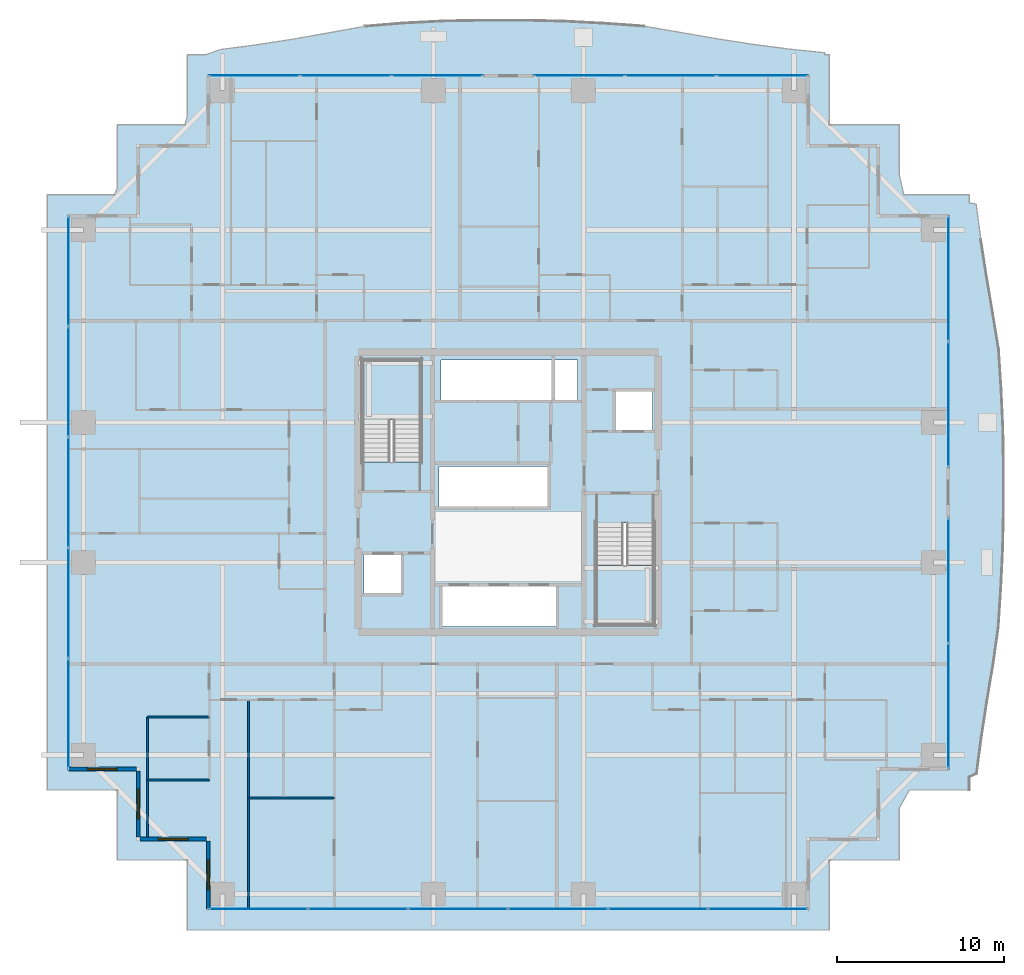
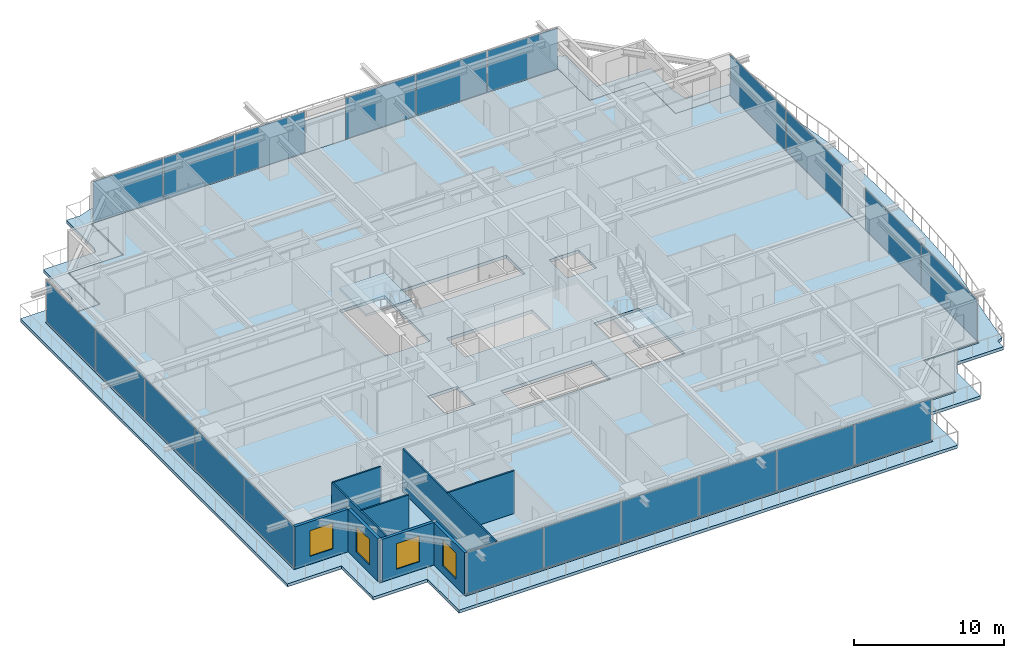
# One storey, part 26 of 38: 21 plates, 9 walls, 4 slabs, 4 windows, 4 openings, 8 elements without a shape of their own.
"""IFC4 building model written with IfcOpenShell, lengths in metres."""

from ifc_helpers import new_model, si_unit, direction, frame, frame_2d, origin, origin_2d, place, context, subcontext, project, spatial, polyline, rectangle, outline, extrude, source, transform, mapped, material, layer, layer_set, type_object, element, fill, aggregate, save


model = new_model("IFC4")

# Units and contexts
model_context = context("Model", 3, precision=1e-05, world=origin(), true_north=direction((0.0, 1.0)))
body_context = subcontext(model_context, "Body", "Model", "MODEL_VIEW")
ifc_project = project(units=[si_unit("LENGTHUNIT", "METRE"), si_unit("AREAUNIT", "SQUARE_METRE"), si_unit("VOLUMEUNIT", "CUBIC_METRE"), si_unit("PLANEANGLEUNIT", "RADIAN"), si_unit("MASSUNIT", "GRAM", prefix="KILO")], contexts=[model_context])

# Site, building, storey
site_placement = place(None, origin())
site = spatial("IfcSite", under=ifc_project, at=site_placement, CompositionType="ELEMENT")
building_placement = place(site_placement, origin())
building = spatial("IfcBuilding", under=site, at=building_placement, Name="Serunith Strait Residences", CompositionType="ELEMENT")
storey_placement = place(building_placement, frame((0.0, 0.0, 82.949951171875)))
storey = spatial("IfcBuildingStorey", under=building, at=storey_placement, Name="L20", CompositionType="ELEMENT", Elevation=82.949951171875)

# Slab
ifc_material_1 = material(Name="Concrete C50/60", Category="concrete")
ifc_layer_1 = layer(ifc_material_1, 0.239990234375, Name="Concrete C50/60")
ifc_layer_set_1 = layer_set([ifc_layer_1], Name="Concrete C50/60")
slab_type_1 = type_object("IfcSlabType", Name="SLB-BALC-240", PredefinedType="FLOOR", material=ifc_layer_set_1)
slab_1_placement = place(storey_placement, frame((0.0, 0.0, -0.2900390625)))
element("IfcSlab", 1, at=slab_1_placement, inside=storey, type_object=slab_type_1, Name="L20 Planted Vertical-Forest Balcony Slab", PredefinedType="FLOOR", context=body_context, shape_type="SweptSolid", body=[
    extrude(outline(polyline([(12.99658203125, 47.260009765625), (13.139892578125, 47.802490234375), (13.139892578125, 51.4599609375), (14.251708984375, 51.4599609375), (15.11181640625, 51.77001953125), (17.233154296875, 52.0439453125), (19.373291015625, 52.37646484375), (21.55126953125, 52.758056640625), (23.78759765625, 53.16259765625), (26.139892578125, 53.355712890625), (28.535400390625, 53.476806640625), (30.954833984375, 53.52001953125), (33.382080078125, 53.52001953125), (35.80078125, 53.462646484375), (38.1962890625, 53.337158203125), (40.5576171875, 53.169189453125), (42.808837890625, 52.78515625), (44.99609375, 52.405517578125), (47.14404296875, 52.072509765625), (49.271240234375, 51.796630859375), (51.39111328125, 51.57666015625), (51.390380859375, 51.4599609375), (51.659912109375, 51.4599609375), (51.659912109375, 47.260009765625), (55.860107421875, 47.260009765625), (55.860107421875, 44.250732421875), (56.134521484375, 43.06005859375), (60.06005859375, 43.06005859375), (60.06005859375, 42.563720703125), (60.473388671875, 42.497802734375), (60.75390625, 40.370361328125), (61.08544921875, 38.220703125), (61.455810546875, 36.03173828125), (61.822509765625, 33.781494140625), (61.9755859375, 31.427001953125), (62.084228515625, 29.041748046875), (62.1201171875, 26.63623046875), (62.1201171875, 24.223876953125), (62.070068359375, 21.819091796875), (61.955810546875, 19.434326171875), (61.802001953125, 17.0791015625), (61.47802734375, 14.809814453125), (61.110107421875, 12.612060546875), (60.779296875, 10.454833984375), (60.498291015625, 8.321533203125), (60.06005859375, 8.120361328125), (60.06005859375, 7.340087890625), (56.46728515625, 7.340087890625), (55.860107421875, 6.271484375), (55.860107421875, 3.139892578125), (51.659912109375, 3.139892578125), (51.659912109375, -1.06005859375), (13.139892578125, -1.06005859375), (13.139892578125, 3.139892578125), (8.93994140625, 3.139892578125), (8.93994140625, 7.340087890625), (4.739990234375, 7.340087890625), (4.739990234375, 43.06005859375), (8.7587890625, 43.06005859375), (8.93994140625, 43.457763671875), (8.93994140625, 47.260009765625), (12.99658203125, 47.260009765625)]), holes=[polyline([(50.455078125, 0.14501953125), (50.455078125, 4.344970703125), (54.655029296875, 4.344970703125), (54.655029296875, 8.544921875), (58.85498046875, 8.544921875), (58.85498046875, 41.85498046875), (54.655029296875, 41.85498046875), (54.655029296875, 46.054931640625), (50.455078125, 46.054931640625), (50.455078125, 50.2548828125), (14.344970703125, 50.2548828125), (14.344970703125, 46.054931640625), (10.14501953125, 46.054931640625), (10.14501953125, 41.85498046875), (5.945068359375, 41.85498046875), (5.945068359375, 8.544921875), (10.14501953125, 8.544921875), (10.14501953125, 4.344970703125), (14.344970703125, 4.344970703125), (14.344970703125, 0.14501953125), (50.455078125, 0.14501953125)])]), origin(), (0.0, 0.0, 1.0), 0.239990234375),
])

# Stair, slab
stair_type_1 = type_object("IfcStairType", Name="STR-CORE-1", PredefinedType="HALF_TURN_STAIR", material=ifc_material_1)
stair_1_placement = place(storey_placement, origin())
stair_1 = element("IfcStair", 2, at=stair_1_placement, inside=storey, type_object=stair_type_1, Name="L20 Protected Escape Stair ST-1", PredefinedType="HALF_TURN_STAIR")
ifc_layer_2 = layer(ifc_material_1, 0.199951171875, Name="Concrete C50/60")
ifc_layer_set_2 = layer_set([ifc_layer_2], Name="Concrete C50/60")
slab_type_2 = type_object("IfcSlabType", Name="SLB-LAND-200", PredefinedType="LANDING", material=ifc_layer_set_2)
slab_2_placement = place(storey_placement, frame((0.0, 0.0, 1.675048828125)))
slab_2 = element("IfcSlab", 3, at=slab_2_placement, type_object=slab_type_2, Name="ST-1 landing 1", PredefinedType="LANDING", context=body_context, shape_type="SweptSolid", body=[
    extrude(outline(polyline([(27.14990234375, 29.550048828125), (27.14990234375, 33.14990234375), (23.64990234375, 33.14990234375), (23.64990234375, 29.550048828125), (27.14990234375, 29.550048828125)])), origin(), (0.0, 0.0, 1.0), 0.199951171875),
])
aggregate(stair_1, [slab_2])

stair_type_2 = type_object("IfcStairType", Name="STR-CORE-2", PredefinedType="HALF_TURN_STAIR", material=ifc_material_1)
stair_2_placement = place(storey_placement, origin())
stair_2 = element("IfcStair", 4, at=stair_2_placement, inside=storey, type_object=stair_type_2, Name="L20 Protected Escape Stair ST-2", PredefinedType="HALF_TURN_STAIR")
slab_3_placement = place(storey_placement, frame((0.0, 0.0, 1.675048828125)))
slab_3 = element("IfcSlab", 5, at=slab_3_placement, type_object=slab_type_2, Name="ST-2 landing 1", PredefinedType="LANDING", context=body_context, shape_type="SweptSolid", body=[
    extrude(outline(polyline([(37.64990234375, 20.85009765625), (37.64990234375, 17.25), (41.14990234375, 17.25), (41.14990234375, 20.85009765625), (37.64990234375, 20.85009765625)])), origin(), (0.0, 0.0, 1.0), 0.199951171875),
])
aggregate(stair_2, [slab_3])

# Slab
ifc_material_2 = material(Name="Concrete C60/75", Category="concrete")
ifc_layer_3 = layer(ifc_material_2, 0.260009765625, Name="Concrete C60/75")
ifc_layer_set_3 = layer_set([ifc_layer_3], Name="Concrete C60/75")
slab_type_3 = type_object("IfcSlabType", Name="SLB-TWR-260-Z1", PredefinedType="FLOOR", material=ifc_layer_set_3)
slab_4_placement = place(storey_placement, frame((0.0, 0.0, -0.260009765625)))
element("IfcSlab", 6, at=slab_4_placement, inside=storey, type_object=slab_type_3, Name="L20 Structural Floor Plate", PredefinedType="FLOOR", context=body_context, shape_type="SweptSolid", body=[
    extrude(outline(polyline([(14.39990234375, 4.39990234375), (10.199951171875, 4.39990234375), (10.199951171875, 8.60009765625), (6.0, 8.60009765625), (6.0, 41.800048828125), (10.199951171875, 41.800048828125), (10.199951171875, 46.0), (14.39990234375, 46.0), (14.39990234375, 50.199951171875), (50.39990234375, 50.199951171875), (50.39990234375, 46.0), (54.60009765625, 46.0), (54.60009765625, 41.800048828125), (58.800048828125, 41.800048828125), (58.800048828125, 8.60009765625), (54.60009765625, 8.60009765625), (54.60009765625, 4.39990234375), (50.39990234375, 4.39990234375), (50.39990234375, 0.199951171875), (14.39990234375, 0.199951171875), (14.39990234375, 4.39990234375)]), holes=[polyline([(41.14990234375, 17.25), (41.14990234375, 23.3701171875), (37.64990234375, 23.3701171875), (37.64990234375, 17.25), (41.14990234375, 17.25)]), polyline([(41.050048828125, 31.25), (38.75, 31.25), (38.75, 28.85009765625), (41.050048828125, 28.85009765625), (41.050048828125, 31.25)]), polyline([(36.550048828125, 33.14990234375), (28.35009765625, 33.14990234375), (28.35009765625, 30.64990234375), (36.550048828125, 30.64990234375), (36.550048828125, 33.14990234375)]), polyline([(28.35009765625, 19.64990234375), (28.35009765625, 17.14990234375), (35.35009765625, 17.14990234375), (35.35009765625, 19.64990234375), (28.35009765625, 19.64990234375)]), polyline([(34.85009765625, 26.75), (28.25, 26.75), (28.25, 24.25), (34.85009765625, 24.25), (34.85009765625, 26.75)]), polyline([(23.64990234375, 33.14990234375), (23.64990234375, 27.030029296875), (27.14990234375, 27.030029296875), (27.14990234375, 33.14990234375), (23.64990234375, 33.14990234375)]), polyline([(26.050048828125, 21.550048828125), (23.75, 21.550048828125), (23.75, 19.14990234375), (26.050048828125, 19.14990234375), (26.050048828125, 21.550048828125)])]), origin(), (0.0, 0.0, 1.0), 0.260009765625),
])

# Curtain wall, plates
ifc_material_3 = material(Name="Pale-Champagne Anodised Aluminium", Category="aluminium")
ifc_layer_4 = layer(ifc_material_3, 0.199951171875, Name="Pale-Champagne Anodised Aluminium")
ifc_layer_set_4 = layer_set([ifc_layer_4], Name="Pale-Champagne Anodised Aluminium")
curtain_wall_type = type_object("IfcCurtainWallType", Name="CW-SYS1", PredefinedType="NOTDEFINED", material=ifc_layer_set_4)
curtain_wall_1_placement = place(storey_placement, origin())
curtain_wall_1 = element("IfcCurtainWall", 7, at=curtain_wall_1_placement, inside=storey, type_object=curtain_wall_type, Name="L20 S Unitised Fritted Curtain Wall", PredefinedType="NOTDEFINED")
ifc_material_4 = material(Name="Ceramic-Fritted Low-E Double Glazing 28mm", Category="glass")
ifc_layer_5 = layer(ifc_material_4, 0.028076171875, Name="Ceramic-Fritted Low-E Double Glazing 28mm")
ifc_layer_set_5 = layer_set([ifc_layer_5], Name="Ceramic-Fritted Low-E Double Glazing 28mm")
plate_type = type_object("IfcPlateType", Name="CW-SYS1-PNL", PredefinedType="CURTAIN_PANEL", material=ifc_layer_set_5)
shared_shape_1 = source(origin(), body_context, "Body", "SweptSolid", [
    extrude(rectangle(XDim=5.89501953125, YDim=0.028076171875, at=origin_2d()), origin(), (0.0, 0.0, 1.0), 3.35498046875),
])
plate_1_placement = place(storey_placement, frame((17.41748046875, 0.199951171875, 0.06005859375), z_axis=(0.0, 0.0, 1.0), x_axis=(1.0, 0.0, 0.0)))
plate_1 = element("IfcPlate", 8, at=plate_1_placement, type_object=plate_type, Name="CW-1 panel 1.1", PredefinedType="CURTAIN_PANEL", context=body_context, shape_type="MappedRepresentation", body=[
    mapped(shared_shape_1, transform((0.0, 0.0, 0.0), scale=1.0)),
])
plate_2_placement = place(storey_placement, frame((47.382568359375, 0.199951171875, 0.06005859375), z_axis=(0.0, 0.0, 1.0), x_axis=(1.0, 0.0, 0.0)))
plate_2 = element("IfcPlate", 9, at=plate_2_placement, type_object=plate_type, Name="CW-1 panel 6.1", PredefinedType="CURTAIN_PANEL", context=body_context, shape_type="MappedRepresentation", body=[
    mapped(shared_shape_1, transform((0.0, 0.0, 0.0), scale=1.0)),
])
shared_shape_2 = source(origin(), body_context, "Body", "SweptSolid", [
    extrude(rectangle(XDim=5.929931640625, YDim=0.028076171875, at=origin_2d()), origin(), (0.0, 0.0, 1.0), 3.35498046875),
])
plate_3_placement = place(storey_placement, frame((23.39990234375, 0.199951171875, 0.06005859375), z_axis=(0.0, 0.0, 1.0), x_axis=(1.0, 0.0, 0.0)))
plate_3 = element("IfcPlate", 10, at=plate_3_placement, type_object=plate_type, Name="CW-1 panel 2.1", PredefinedType="CURTAIN_PANEL", context=body_context, shape_type="MappedRepresentation", body=[
    mapped(shared_shape_2, transform((0.0, 0.0, 0.0), scale=1.0)),
])
plate_4_placement = place(storey_placement, frame((29.39990234375, 0.199951171875, 0.06005859375), z_axis=(0.0, 0.0, 1.0), x_axis=(1.0, 0.0, 0.0)))
plate_4 = element("IfcPlate", 11, at=plate_4_placement, type_object=plate_type, Name="CW-1 panel 3.1", PredefinedType="CURTAIN_PANEL", context=body_context, shape_type="MappedRepresentation", body=[
    mapped(shared_shape_2, transform((0.0, 0.0, 0.0), scale=1.0)),
])
plate_5_placement = place(storey_placement, frame((35.39990234375, 0.199951171875, 0.06005859375), z_axis=(0.0, 0.0, 1.0), x_axis=(1.0, 0.0, 0.0)))
plate_5 = element("IfcPlate", 12, at=plate_5_placement, type_object=plate_type, Name="CW-1 panel 4.1", PredefinedType="CURTAIN_PANEL", context=body_context, shape_type="MappedRepresentation", body=[
    mapped(shared_shape_2, transform((0.0, 0.0, 0.0), scale=1.0)),
])
plate_6_placement = place(storey_placement, frame((41.39990234375, 0.199951171875, 0.06005859375), z_axis=(0.0, 0.0, 1.0), x_axis=(1.0, 0.0, 0.0)))
plate_6 = element("IfcPlate", 13, at=plate_6_placement, type_object=plate_type, Name="CW-1 panel 5.1", PredefinedType="CURTAIN_PANEL", context=body_context, shape_type="MappedRepresentation", body=[
    mapped(shared_shape_2, transform((0.0, 0.0, 0.0), scale=1.0)),
])
aggregate(curtain_wall_1, [plate_1, plate_3, plate_4, plate_5, plate_6, plate_2])

curtain_wall_2_placement = place(storey_placement, origin())
curtain_wall_2 = element("IfcCurtainWall", 14, at=curtain_wall_2_placement, inside=storey, type_object=curtain_wall_type, Name="L20 E Unitised Fritted Curtain Wall", PredefinedType="NOTDEFINED")
shared_shape_3 = source(origin(), body_context, "Body", "SweptSolid", [
    extrude(rectangle(XDim=7.445068359375, YDim=0.028076171875, at=origin_2d()), origin(), (0.0, 0.0, 1.0), 3.35498046875),
])
plate_7_placement = place(storey_placement, frame((58.800048828125, 12.392578125, 0.06005859375), z_axis=(0.0, 0.0, 1.0), x_axis=(0.0, 1.0, 0.0)))
plate_7 = element("IfcPlate", 15, at=plate_7_placement, type_object=plate_type, Name="CW-1 panel 1.1", PredefinedType="CURTAIN_PANEL", context=body_context, shape_type="MappedRepresentation", body=[
    mapped(shared_shape_3, transform((0.0, 0.0, 0.0), scale=1.0)),
])
plate_8_placement = place(storey_placement, frame((58.800048828125, 19.907470703125, 0.06005859375), z_axis=(0.0, 0.0, 1.0), x_axis=(0.0, 1.0, 0.0)))
plate_8 = element("IfcPlate", 16, at=plate_8_placement, type_object=plate_type, Name="CW-1 panel 2.1", PredefinedType="CURTAIN_PANEL", context=body_context, shape_type="MappedRepresentation", body=[
    mapped(shared_shape_3, transform((0.0, 0.0, 0.0), scale=1.0)),
])
aggregate(curtain_wall_2, [plate_7, plate_8])

curtain_wall_3_placement = place(storey_placement, origin())
curtain_wall_3 = element("IfcCurtainWall", 17, at=curtain_wall_3_placement, inside=storey, type_object=curtain_wall_type, Name="L20 E Unitised Fritted Curtain Wall", PredefinedType="NOTDEFINED")
plate_9_placement = place(storey_placement, frame((58.800048828125, 30.492431640625, 0.06005859375), z_axis=(0.0, 0.0, 1.0), x_axis=(0.0, 1.0, 0.0)))
plate_9 = element("IfcPlate", 18, at=plate_9_placement, type_object=plate_type, Name="CW-1 panel 1.1", PredefinedType="CURTAIN_PANEL", context=body_context, shape_type="MappedRepresentation", body=[
    mapped(shared_shape_3, transform((0.0, 0.0, 0.0), scale=1.0)),
])
plate_10_placement = place(storey_placement, frame((58.800048828125, 38.007568359375, 0.06005859375), z_axis=(0.0, 0.0, 1.0), x_axis=(0.0, 1.0, 0.0)))
plate_10 = element("IfcPlate", 19, at=plate_10_placement, type_object=plate_type, Name="CW-1 panel 2.1", PredefinedType="CURTAIN_PANEL", context=body_context, shape_type="MappedRepresentation", body=[
    mapped(shared_shape_3, transform((0.0, 0.0, 0.0), scale=1.0)),
])
aggregate(curtain_wall_3, [plate_9, plate_10])

curtain_wall_4_placement = place(storey_placement, origin())
curtain_wall_4 = element("IfcCurtainWall", 20, at=curtain_wall_4_placement, inside=storey, type_object=curtain_wall_type, Name="L20 N Unitised Fritted Curtain Wall", PredefinedType="NOTDEFINED")
shared_shape_4 = source(origin(), body_context, "Body", "SweptSolid", [
    extrude(rectangle(XDim=5.39501953125, YDim=0.028076171875, at=origin_2d()), origin(), (0.0, 0.0, 1.0), 3.35498046875),
])
plate_11_placement = place(storey_placement, frame((47.632568359375, 50.199951171875, 0.06005859375), z_axis=(0.0, 0.0, 1.0), x_axis=(-1.0, 0.0, 0.0)))
plate_11 = element("IfcPlate", 21, at=plate_11_placement, type_object=plate_type, Name="CW-1 panel 1.1", PredefinedType="CURTAIN_PANEL", context=body_context, shape_type="MappedRepresentation", body=[
    mapped(shared_shape_4, transform((0.0, 0.0, 0.0), scale=1.0)),
])
plate_12_placement = place(storey_placement, frame((36.66748046875, 50.199951171875, 0.06005859375), z_axis=(0.0, 0.0, 1.0), x_axis=(-1.0, 0.0, 0.0)))
plate_12 = element("IfcPlate", 22, at=plate_12_placement, type_object=plate_type, Name="CW-1 panel 3.1", PredefinedType="CURTAIN_PANEL", context=body_context, shape_type="MappedRepresentation", body=[
    mapped(shared_shape_4, transform((0.0, 0.0, 0.0), scale=1.0)),
])

curtain_wall_5_placement = place(storey_placement, origin())
curtain_wall_5 = element("IfcCurtainWall", 23, at=curtain_wall_5_placement, inside=storey, type_object=curtain_wall_type, Name="L20 N Unitised Fritted Curtain Wall", PredefinedType="NOTDEFINED")
plate_13_placement = place(storey_placement, frame((28.132568359375, 50.199951171875, 0.06005859375), z_axis=(0.0, 0.0, 1.0), x_axis=(-1.0, 0.0, 0.0)))
plate_13 = element("IfcPlate", 24, at=plate_13_placement, type_object=plate_type, Name="CW-1 panel 1.1", PredefinedType="CURTAIN_PANEL", context=body_context, shape_type="MappedRepresentation", body=[
    mapped(shared_shape_4, transform((0.0, 0.0, 0.0), scale=1.0)),
])
plate_14_placement = place(storey_placement, frame((17.16748046875, 50.199951171875, 0.06005859375), z_axis=(0.0, 0.0, 1.0), x_axis=(-1.0, 0.0, 0.0)))
plate_14 = element("IfcPlate", 25, at=plate_14_placement, type_object=plate_type, Name="CW-1 panel 3.1", PredefinedType="CURTAIN_PANEL", context=body_context, shape_type="MappedRepresentation", body=[
    mapped(shared_shape_4, transform((0.0, 0.0, 0.0), scale=1.0)),
])

# Plate
shared_shape_5 = source(origin(), body_context, "Body", "SweptSolid", [
    extrude(rectangle(XDim=5.429931640625, YDim=0.028076171875, at=origin_2d()), origin(), (0.0, 0.0, 1.0), 3.35498046875),
])
plate_15_placement = place(storey_placement, frame((42.14990234375, 50.199951171875, 0.06005859375), z_axis=(0.0, 0.0, 1.0), x_axis=(-1.0, 0.0, 0.0)))
plate_15 = element("IfcPlate", 26, at=plate_15_placement, type_object=plate_type, Name="CW-1 panel 2.1", PredefinedType="CURTAIN_PANEL", context=body_context, shape_type="MappedRepresentation", body=[
    mapped(shared_shape_5, transform((0.0, 0.0, 0.0), scale=1.0)),
])

aggregate(curtain_wall_4, [plate_11, plate_15, plate_12])

plate_16_placement = place(storey_placement, frame((22.64990234375, 50.199951171875, 0.06005859375), z_axis=(0.0, 0.0, 1.0), x_axis=(-1.0, 0.0, 0.0)))
plate_16 = element("IfcPlate", 27, at=plate_16_placement, type_object=plate_type, Name="CW-1 panel 2.1", PredefinedType="CURTAIN_PANEL", context=body_context, shape_type="MappedRepresentation", body=[
    mapped(shared_shape_5, transform((0.0, 0.0, 0.0), scale=1.0)),
])

aggregate(curtain_wall_5, [plate_13, plate_16, plate_14])

# Curtain wall, plates
curtain_wall_6_placement = place(storey_placement, origin())
curtain_wall_6 = element("IfcCurtainWall", 28, at=curtain_wall_6_placement, inside=storey, type_object=curtain_wall_type, Name="L20 W Unitised Fritted Curtain Wall", PredefinedType="NOTDEFINED")
shared_shape_6 = source(origin(), body_context, "Body", "SweptSolid", [
    extrude(rectangle(XDim=6.534912109375, YDim=0.028076171875, at=origin_2d()), origin(), (0.0, 0.0, 1.0), 3.35498046875),
])
plate_17_placement = place(storey_placement, frame((6.0, 38.46240234375, 0.06005859375), z_axis=(0.0, 0.0, 1.0), x_axis=(0.0, -1.0, 0.0)))
plate_17 = element("IfcPlate", 29, at=plate_17_placement, type_object=plate_type, Name="CW-1 panel 1.1", PredefinedType="CURTAIN_PANEL", context=body_context, shape_type="MappedRepresentation", body=[
    mapped(shared_shape_6, transform((0.0, 0.0, 0.0), scale=1.0)),
])
plate_18_placement = place(storey_placement, frame((6.0, 11.9375, 0.06005859375), z_axis=(0.0, 0.0, 1.0), x_axis=(0.0, -1.0, 0.0)))
plate_18 = element("IfcPlate", 30, at=plate_18_placement, type_object=plate_type, Name="CW-1 panel 5.1", PredefinedType="CURTAIN_PANEL", context=body_context, shape_type="MappedRepresentation", body=[
    mapped(shared_shape_6, transform((0.0, 0.0, 0.0), scale=1.0)),
])
shared_shape_7 = source(origin(), body_context, "Body", "SweptSolid", [
    extrude(rectangle(XDim=6.570068359375, YDim=0.028076171875, at=origin_2d()), origin(), (0.0, 0.0, 1.0), 3.35498046875),
])
plate_19_placement = place(storey_placement, frame((6.0, 31.840087890625, 0.06005859375), z_axis=(0.0, 0.0, 1.0), x_axis=(0.0, -1.0, 0.0)))
plate_19 = element("IfcPlate", 31, at=plate_19_placement, type_object=plate_type, Name="CW-1 panel 2.1", PredefinedType="CURTAIN_PANEL", context=body_context, shape_type="MappedRepresentation", body=[
    mapped(shared_shape_7, transform((0.0, 0.0, 0.0), scale=1.0)),
])
plate_20_placement = place(storey_placement, frame((6.0, 25.199951171875, 0.06005859375), z_axis=(0.0, 0.0, 1.0), x_axis=(0.0, -1.0, 0.0)))
plate_20 = element("IfcPlate", 32, at=plate_20_placement, type_object=plate_type, Name="CW-1 panel 3.1", PredefinedType="CURTAIN_PANEL", context=body_context, shape_type="MappedRepresentation", body=[
    mapped(shared_shape_7, transform((0.0, 0.0, 0.0), scale=1.0)),
])
plate_21_placement = place(storey_placement, frame((6.0, 18.56005859375, 0.06005859375), z_axis=(0.0, 0.0, 1.0), x_axis=(0.0, -1.0, 0.0)))
plate_21 = element("IfcPlate", 33, at=plate_21_placement, type_object=plate_type, Name="CW-1 panel 4.1", PredefinedType="CURTAIN_PANEL", context=body_context, shape_type="MappedRepresentation", body=[
    mapped(shared_shape_7, transform((0.0, 0.0, 0.0), scale=1.0)),
])
aggregate(curtain_wall_6, [plate_17, plate_19, plate_20, plate_21, plate_18])

# Wall, opening, window
ifc_material_5 = material(Name="Pale-Champagne Aluminium Insulated Panel", Category="aluminium")
ifc_layer_6 = layer(ifc_material_5, 0.219970703125, Name="Pale-Champagne Aluminium Insulated Panel")
ifc_layer_set_6 = layer_set([ifc_layer_6], Name="Pale-Champagne Aluminium Insulated Panel")
wall_type_1 = type_object("IfcWallType", Name="EW-ALUM-220", PredefinedType="ELEMENTEDWALL", material=ifc_layer_set_6)
wall_1_placement = place(storey_placement, frame((6.0, 8.60009765625, 0.0), z_axis=(0.0, 0.0, 1.0), x_axis=(1.0, 0.0, 0.0)))
wall_1 = element("IfcWall", 34, at=wall_1_placement, inside=storey, type_object=wall_type_1, Name="L20 Girih Serrated Corner Wall 17", PredefinedType="ELEMENTEDWALL", context=body_context, shape_type="SweptSolid", body=[
    extrude(rectangle(XDim=4.090087890625, YDim=0.219970703125, at=frame_2d((2.044921875, 0.0))), origin(), (0.0, 0.0, 1.0), 3.47509765625),
])
opening_1_placement = place(wall_1_placement, frame((1.14501953125, 0.0, 0.64990234375)))
opening_1 = element("IfcOpeningElement", 35, at=opening_1_placement, cuts=wall_1, Name="Opening W-01", PredefinedType="OPENING", context=body_context, shape_type="SweptSolid", body=[
    extrude(rectangle(XDim=1.800048828125, YDim=2.10009765625, at=frame_2d((0.89990234375, 1.050048828125))), frame((0.0, 0.1201171875, 0.0), z_axis=(0.0, -1.0, 0.0), x_axis=(1.0, 0.0, 0.0)), (0.0, 0.0, 1.0), 0.239990234375),
])
ifc_material_6 = material(Name="Ceramic-Fritted Operable Aluminium Window Glass", Category="aluminium")
window_type = type_object("IfcWindowType", Name="WIN-C1", PartitioningType="DOUBLE_PANEL_VERTICAL", PredefinedType="WINDOW", material=ifc_material_6)
shared_shape_8 = source(origin(), body_context, "Body", "SweptSolid", [
    extrude(rectangle(XDim=1.800048828125, YDim=2.10009765625, at=frame_2d((0.89990234375, 1.050048828125))), frame((0.0, 0.030029296875, 0.0), z_axis=(0.0, -1.0, 0.0), x_axis=(1.0, 0.0, 0.0)), (0.0, 0.0, 1.0), 0.06005859375),
])
window_1_placement = place(opening_1_placement, origin())
window_1 = element("IfcWindow", 36, at=window_1_placement, inside=storey, type_object=window_type, Name="L20 Corner Operable Fritted Window 17", OverallHeight=2.10009765625, OverallWidth=1.800048828125, PartitioningType="SINGLE_PANEL", PredefinedType="WINDOW", context=body_context, shape_type="MappedRepresentation", body=[
    mapped(shared_shape_8, transform((0.0, 0.0, 0.0), scale=1.0)),
])
fill(opening_1, window_1)

wall_2_placement = place(storey_placement, frame((10.199951171875, 8.489990234375, 0.0), z_axis=(0.0, 0.0, 1.0), x_axis=(0.0, -1.0, 0.0)))
wall_2 = element("IfcWall", 37, at=wall_2_placement, inside=storey, type_object=wall_type_1, Name="L20 Girih Serrated Corner Wall 18", PredefinedType="ELEMENTEDWALL", context=body_context, shape_type="SweptSolid", body=[
    extrude(rectangle(XDim=3.97998046875, YDim=0.219970703125, at=frame_2d((1.989990234375, 0.0))), origin(), (0.0, 0.0, 1.0), 3.47509765625),
])
opening_2_placement = place(wall_2_placement, frame((1.090087890625, 0.0, 0.64990234375)))
opening_2 = element("IfcOpeningElement", 38, at=opening_2_placement, cuts=wall_2, Name="Opening W-01", PredefinedType="OPENING", context=body_context, shape_type="SweptSolid", body=[
    extrude(rectangle(XDim=1.800048828125, YDim=2.10009765625, at=frame_2d((0.89990234375, 1.050048828125))), frame((0.0, 0.1201171875, 0.0), z_axis=(0.0, -1.0, 0.0), x_axis=(1.0, 0.0, 0.0)), (0.0, 0.0, 1.0), 0.239990234375),
])
window_2_placement = place(opening_2_placement, origin())
window_2 = element("IfcWindow", 39, at=window_2_placement, inside=storey, type_object=window_type, Name="L20 Corner Operable Fritted Window 18", OverallHeight=2.10009765625, OverallWidth=1.800048828125, PartitioningType="SINGLE_PANEL", PredefinedType="WINDOW", context=body_context, shape_type="MappedRepresentation", body=[
    mapped(shared_shape_8, transform((0.0, 0.0, 0.0), scale=1.0)),
])
fill(opening_2, window_2)

wall_3_placement = place(storey_placement, frame((10.31005859375, 4.39990234375, 0.0), z_axis=(0.0, 0.0, 1.0), x_axis=(1.0, 0.0, 0.0)))
wall_3 = element("IfcWall", 40, at=wall_3_placement, inside=storey, type_object=wall_type_1, Name="L20 Girih Serrated Corner Wall 19", PredefinedType="ELEMENTEDWALL", context=body_context, shape_type="SweptSolid", body=[
    extrude(rectangle(XDim=3.97998046875, YDim=0.219970703125, at=frame_2d((1.989990234375, 0.0))), origin(), (0.0, 0.0, 1.0), 3.47509765625),
])
opening_3_placement = place(wall_3_placement, frame((1.090087890625, 0.0, 0.64990234375)))
opening_3 = element("IfcOpeningElement", 41, at=opening_3_placement, cuts=wall_3, Name="Opening W-01", PredefinedType="OPENING", context=body_context, shape_type="SweptSolid", body=[
    extrude(rectangle(XDim=1.800048828125, YDim=2.10009765625, at=frame_2d((0.89990234375, 1.050048828125))), frame((0.0, 0.1201171875, 0.0), z_axis=(0.0, -1.0, 0.0), x_axis=(1.0, 0.0, 0.0)), (0.0, 0.0, 1.0), 0.239990234375),
])
window_3_placement = place(opening_3_placement, origin())
window_3 = element("IfcWindow", 42, at=window_3_placement, inside=storey, type_object=window_type, Name="L20 Corner Operable Fritted Window 19", OverallHeight=2.10009765625, OverallWidth=1.800048828125, PartitioningType="SINGLE_PANEL", PredefinedType="WINDOW", context=body_context, shape_type="MappedRepresentation", body=[
    mapped(shared_shape_8, transform((0.0, 0.0, 0.0), scale=1.0)),
])
fill(opening_3, window_3)

wall_4_placement = place(storey_placement, frame((14.39990234375, 4.2900390625, 0.0), z_axis=(0.0, 0.0, 1.0), x_axis=(0.0, -1.0, 0.0)))
wall_4 = element("IfcWall", 43, at=wall_4_placement, inside=storey, type_object=wall_type_1, Name="L20 Girih Serrated Corner Wall 20", PredefinedType="ELEMENTEDWALL", context=body_context, shape_type="SweptSolid", body=[
    extrude(rectangle(XDim=4.090087890625, YDim=0.219970703125, at=frame_2d((2.044921875, 0.0))), origin(), (0.0, 0.0, 1.0), 3.47509765625),
])
opening_4_placement = place(wall_4_placement, frame((1.14501953125, 0.0, 0.64990234375)))
opening_4 = element("IfcOpeningElement", 44, at=opening_4_placement, cuts=wall_4, Name="Opening W-01", PredefinedType="OPENING", context=body_context, shape_type="SweptSolid", body=[
    extrude(rectangle(XDim=1.800048828125, YDim=2.10009765625, at=frame_2d((0.89990234375, 1.050048828125))), frame((0.0, 0.1201171875, 0.0), z_axis=(0.0, -1.0, 0.0), x_axis=(1.0, 0.0, 0.0)), (0.0, 0.0, 1.0), 0.239990234375),
])
window_4_placement = place(opening_4_placement, origin())
window_4 = element("IfcWindow", 45, at=window_4_placement, inside=storey, type_object=window_type, Name="L20 Corner Operable Fritted Window 20", OverallHeight=2.10009765625, OverallWidth=1.800048828125, PartitioningType="SINGLE_PANEL", PredefinedType="WINDOW", context=body_context, shape_type="MappedRepresentation", body=[
    mapped(shared_shape_8, transform((0.0, 0.0, 0.0), scale=1.0)),
])
fill(opening_4, window_4)

# Walls
ifc_material_7 = material(Name="Lightweight steel-stud gypsum partition", Category="steel")
ifc_layer_7 = layer(ifc_material_7, 0.1201171875, Name="Lightweight steel-stud gypsum partition")
ifc_layer_set_7 = layer_set([ifc_layer_7], Name="Lightweight steel-stud gypsum partition")
wall_type_2 = type_object("IfcWallType", Name="IW-PART-120", PredefinedType="PARTITIONING", material=ifc_layer_set_7)
wall_5_placement = place(storey_placement, frame((16.81005859375, 6.860107421875, 0.0), z_axis=(0.0, 0.0, 1.0), x_axis=(1.0, 0.0, 0.0)))
element("IfcWall", 46, at=wall_5_placement, inside=storey, type_object=wall_type_2, Name="L20 Partition Wall 032", PredefinedType="PARTITIONING", context=body_context, shape_type="SweptSolid", body=[
    extrude(rectangle(XDim=5.14990234375, YDim=0.1201171875, at=frame_2d((2.574951171875, 0.0))), origin(), (0.0, 0.0, 1.0), 3.489990234375),
])
wall_6_placement = place(storey_placement, frame((16.81005859375, 0.294921875, 0.0), z_axis=(0.0, 0.0, 1.0), x_axis=(0.0, 1.0, 0.0)))
element("IfcWall", 47, at=wall_6_placement, inside=storey, type_object=wall_type_2, Name="L20 Partition Wall 033", PredefinedType="PARTITIONING", context=body_context, shape_type="SweptSolid", body=[
    extrude(rectangle(XDim=12.455078125, YDim=0.1201171875, at=frame_2d((6.2275390625, 0.0))), origin(), (0.0, 0.0, 1.0), 3.489990234375),
])
wall_7_placement = place(storey_placement, frame((10.760009765625, 7.947998046875, 0.0), z_axis=(0.0, 0.0, 1.0), x_axis=(1.0, 0.0, 0.0)))
element("IfcWall", 48, at=wall_7_placement, inside=storey, type_object=wall_type_2, Name="L20 Partition Wall 038", PredefinedType="PARTITIONING", context=body_context, shape_type="SweptSolid", body=[
    extrude(rectangle(XDim=3.699951171875, YDim=0.1201171875, at=frame_2d((1.85009765625, 0.0))), origin(), (0.0, 0.0, 1.0), 3.489990234375),
])
wall_8_placement = place(storey_placement, frame((10.760009765625, 4.4951171875, 0.0), z_axis=(0.0, 0.0, 1.0), x_axis=(0.0, 1.0, 0.0)))
element("IfcWall", 49, at=wall_8_placement, inside=storey, type_object=wall_type_2, Name="L20 Partition Wall 039", PredefinedType="PARTITIONING", context=body_context, shape_type="SweptSolid", body=[
    extrude(rectangle(XDim=7.23681640625, YDim=0.1201171875, at=frame_2d((3.618408203125, 0.0))), origin(), (0.0, 0.0, 1.0), 3.489990234375),
])
wall_9_placement = place(storey_placement, frame((10.760009765625, 11.73193359375, 0.0), z_axis=(0.0, 0.0, 1.0), x_axis=(1.0, 0.0, 0.0)))
element("IfcWall", 50, at=wall_9_placement, inside=storey, type_object=wall_type_2, Name="L20 Partition Wall 040", PredefinedType="PARTITIONING", context=body_context, shape_type="SweptSolid", body=[
    extrude(rectangle(XDim=3.699951171875, YDim=0.1201171875, at=frame_2d((1.85009765625, 0.0))), origin(), (0.0, 0.0, 1.0), 3.489990234375),
])

save(model, "model.ifc")
